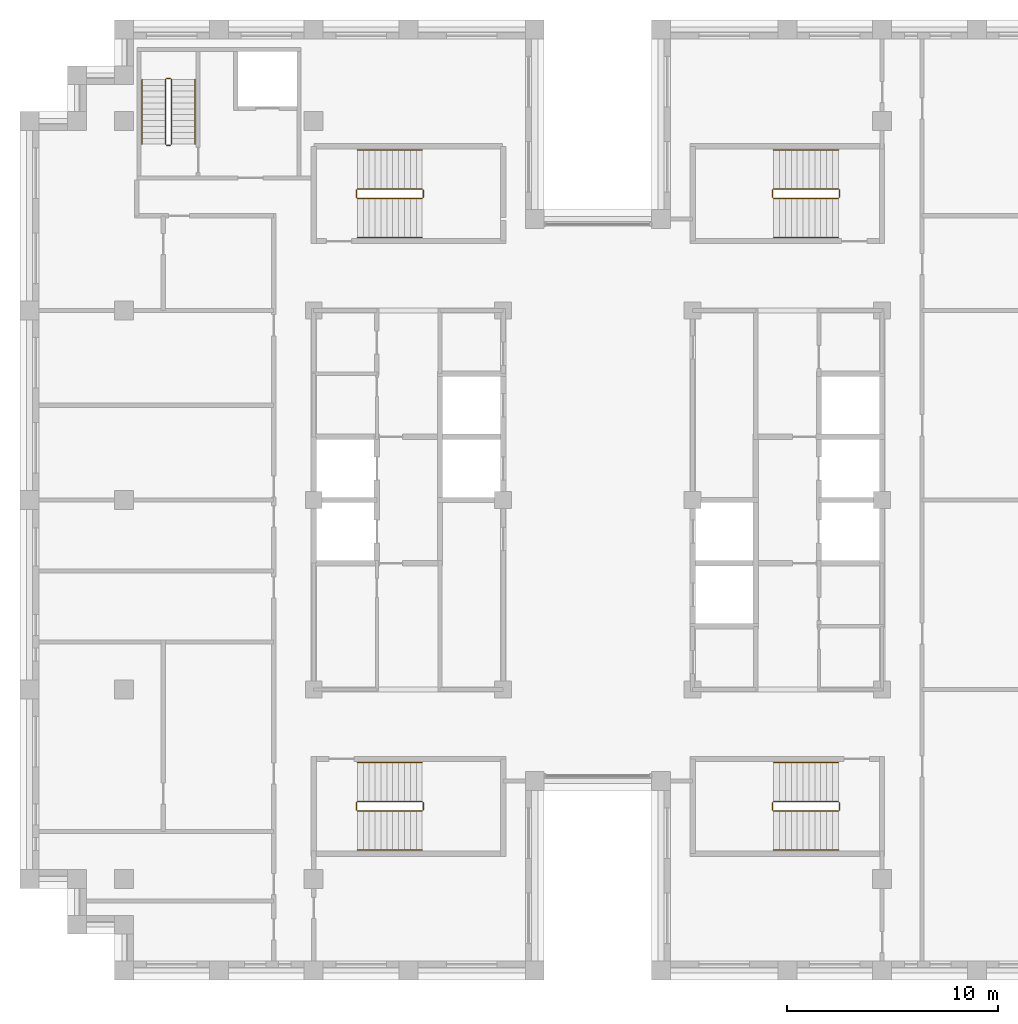
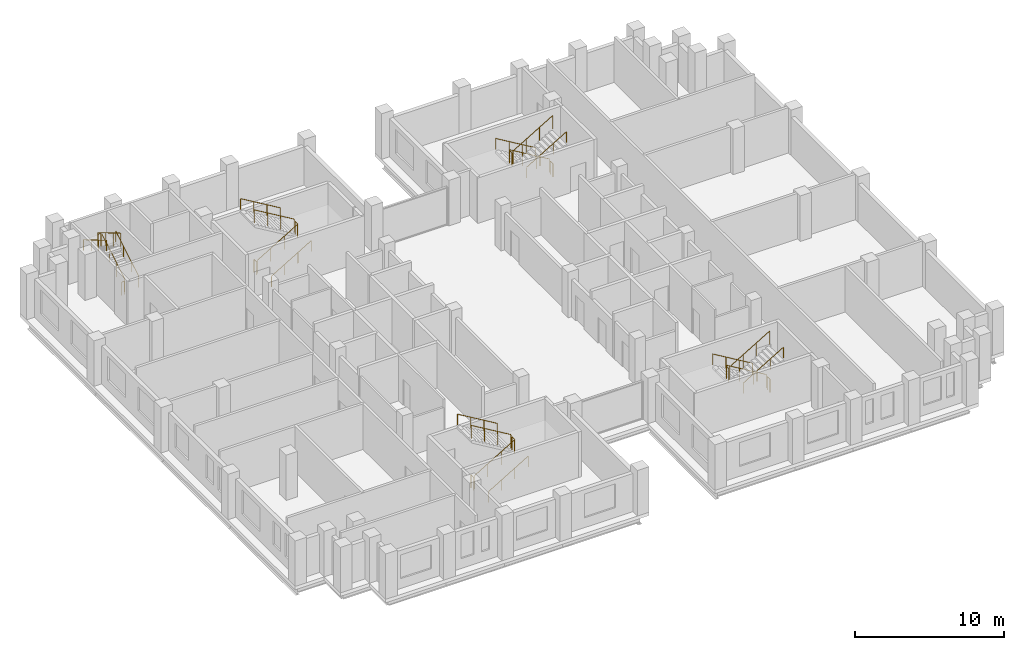
# One storey, part 13 of 13: 5 railings.
"""IFC4 building model written with IfcOpenShell, lengths in metres."""

import ifcopenshell
import ifcopenshell.guid

model = None  # the IFC model being written
_history = None  # IfcOwnerHistory: only IFC2X3 demands one
_inside = {}  # id of a spatial element -> (the spatial element, [elements in it])
_under = {}  # id of a project, library or spatial element -> (it, [spatial elements below it])
_declared = {}  # id of a project -> (the project, [libraries it declares])
_typed = {}  # id of a type object -> (the type object, [elements of that type])
_made_of = {}  # id of a material, layer set ... -> (it, [elements and type objects made of it])


def new_model(schema):
    """Start an empty IFC model of exactly this schema.

    Asked for "IFC4X3", IfcOpenShell would pick the latest addendum, in which some entities
    have other attributes; the version numbers below select the first issue.
    IFC2X3 requires an IfcOwnerHistory on every rooted entity: one is made here for all.
    """
    global model, _history
    if schema == "IFC4X3":
        model = ifcopenshell.file(schema_version=(4, 3, 0, 0))
    else:
        model = ifcopenshell.file(schema=schema)
    _inside.clear()
    _under.clear()
    _declared.clear()
    _typed.clear()
    _made_of.clear()
    _history = None
    if model.schema == "IFC2X3":
        org = make("IfcOrganization", Name="unknown")
        user = make(
            "IfcPersonAndOrganization",
            ThePerson=make("IfcPerson", FamilyName="unknown"),
            TheOrganization=org,
        )
        app = make(
            "IfcApplication",
            ApplicationDeveloper=org,
            Version="unknown",
            ApplicationFullName="unknown",
            ApplicationIdentifier="unknown",
        )
        _history = make(
            "IfcOwnerHistory",
            OwningUser=user,
            OwningApplication=app,
            ChangeAction="ADDED",
            CreationDate=0,
        )
    return model


def make(cls, **values):
    """One entity of the class cls with the attributes given. An attribute that is None is left unset."""
    return model.create_entity(
        cls, **{name: value for name, value in values.items() if value is not None}
    )


def rooted(cls, **values):
    """An entity with a GlobalId (a new one), such as an element, a storey or a relation."""
    return make(cls, GlobalId=ifcopenshell.guid.new(), OwnerHistory=_history, **values)


def si_unit(unit_type, name, prefix=None):
    """IfcSIUnit, for example si_unit("LENGTHUNIT", "METRE", prefix="MILLI")."""
    return make("IfcSIUnit", UnitType=unit_type, Prefix=prefix, Name=name)


def assignment(units):
    """IfcUnitAssignment: the units of a project."""
    return None if units is None else make("IfcUnitAssignment", Units=units)


def point(xyz):
    """IfcCartesianPoint."""
    return None if xyz is None else make("IfcCartesianPoint", Coordinates=xyz)


def direction(xyz):
    """IfcDirection."""
    return None if xyz is None else make("IfcDirection", DirectionRatios=xyz)


def frame(location, z_axis=None, x_axis=None):
    """IfcAxis2Placement3D, a coordinate frame: its origin and axes. An axis left out is left unset."""
    return make(
        "IfcAxis2Placement3D",
        Location=point(location),
        Axis=direction(z_axis),
        RefDirection=direction(x_axis),
    )


def frame_2d(location, x_axis=None):
    """IfcAxis2Placement2D, a coordinate frame in the plane: its origin and x axis."""
    return make(
        "IfcAxis2Placement2D", Location=point(location), RefDirection=direction(x_axis)
    )


def origin():
    """The frame at (0, 0, 0) with its axes left unset."""
    return frame((0.0, 0.0, 0.0))


def origin_2d():
    """The frame at (0, 0) in the plane with its x axis left unset."""
    return frame_2d((0.0, 0.0))


def place(relative_to, where):
    """IfcLocalPlacement: puts the frame where relative to a parent placement (None: the world)."""
    return make(
        "IfcLocalPlacement", PlacementRelTo=relative_to, RelativePlacement=where
    )


def context(
    kind, dimensions, precision=None, world=None, true_north=None, identifier=None
):
    """IfcGeometricRepresentationContext, for example the 3D "Model" context."""
    return make(
        "IfcGeometricRepresentationContext",
        ContextIdentifier=identifier,
        ContextType=kind,
        CoordinateSpaceDimension=dimensions,
        Precision=precision,
        WorldCoordinateSystem=world,
        TrueNorth=true_north,
    )


def subcontext(parent, identifier, kind, view, scale=None):
    """IfcGeometricRepresentationSubContext, for example "Body" below "Model"."""
    return make(
        "IfcGeometricRepresentationSubContext",
        ContextIdentifier=identifier,
        ContextType=kind,
        ParentContext=parent,
        TargetScale=scale,
        TargetView=view,
    )


def project(units=None, contexts=None):
    """IfcProject with its units and contexts."""
    return rooted(
        "IfcProject",
        Name="project",
        RepresentationContexts=contexts,
        UnitsInContext=assignment(units),
    )


def spatial(cls, under=None, at=None, **own):
    """A site, building, storey or space (cls), placed at a placement, below another one or the project."""
    s = rooted(cls, ObjectPlacement=at, **own)
    if under is not None:
        _under.setdefault(under.id(), (under, []))[1].append(s)
    return s


def profile(cls, at=None, kind="AREA", **sizes):
    """A parametric profile (cls). Its sizes go by their IFC names, for example OverallWidth=200.0."""
    return make(cls, ProfileType=kind, Position=at, **sizes)


def circle(**sizes):
    """IfcCircleProfileDef."""
    return profile("IfcCircleProfileDef", **sizes)


def extrude(swept, where, along, depth):
    """IfcExtrudedAreaSolid: the profile swept, set in the frame where, extruded along a direction by depth."""
    return make(
        "IfcExtrudedAreaSolid",
        SweptArea=swept,
        Position=where,
        ExtrudedDirection=direction(along),
        Depth=depth,
    )


def shape(context_of_items, identifier, shape_type, items):
    """IfcShapeRepresentation: the items that make up one representation, for example the "Body"."""
    return make(
        "IfcShapeRepresentation",
        ContextOfItems=context_of_items,
        RepresentationIdentifier=identifier,
        RepresentationType=shape_type,
        Items=items,
    )


def material(Name=None, Category=None):
    """IfcMaterial."""
    return make("IfcMaterial", Name=Name, Category=Category)


def made_of(thing, what):
    """Note that an element or type object is made of a material, layer set ...; save() writes the relation."""
    if what is not None:
        _made_of.setdefault(what.id(), (what, []))[1].append(thing)
    return thing


def type_object(cls, material=None, **own):
    """A type object (cls), such as IfcWallType, which elements share."""
    return made_of(rooted(cls, **own), material)


def element(
    cls,
    number,
    at=None,
    inside=None,
    cuts=None,
    type_object=None,
    material=None,
    context=None,
    identifier="Body",
    shape_type=None,
    held_by="IfcProductDefinitionShape",
    body=None,
    shapes=None,
    **own,
):
    """One element of the class cls, such as IfcWall. Its Tag is "e" and its number.

    at: its placement. inside: the storey or other place that contains it. cuts: it is an
    opening in that element (IfcRelVoidsElement). A single representation is given by context,
    identifier, shape_type and body (its items); several are given by shapes. held_by: the class
    of the entity that holds the representations. save() writes the other relations.
    """
    e = rooted(cls, Tag="e%d" % number, ObjectPlacement=at, **own)
    if body is not None:
        shapes = [shape(context, identifier, shape_type, body)]
    if shapes is not None:
        e.Representation = make(held_by, Representations=shapes)
    if inside is not None:
        _inside.setdefault(inside.id(), (inside, []))[1].append(e)
    if cuts is not None:
        rooted(
            "IfcRelVoidsElement", RelatingBuildingElement=cuts, RelatedOpeningElement=e
        )
    if type_object is not None:
        _typed.setdefault(type_object.id(), (type_object, []))[1].append(e)
    return made_of(e, material)


def aggregate(whole, parts):
    """IfcRelAggregates: a whole, such as a stair, and the parts it consists of."""
    return rooted("IfcRelAggregates", RelatingObject=whole, RelatedObjects=parts)


def save(model, path):
    """Write the relations noted so far, then the file.

    IfcRelAggregates (storeys below a building ...), IfcRelContainedInSpatialStructure (elements
    in a storey), IfcRelDefinesByType, IfcRelAssociatesMaterial and IfcRelDeclares: one each for
    every whole, place, type object, material and project.
    """
    for whole, parts in _under.values():
        aggregate(whole, parts)
    for where, things in _inside.values():
        rooted(
            "IfcRelContainedInSpatialStructure",
            RelatedElements=things,
            RelatingStructure=where,
        )
    for kind, things in _typed.values():
        rooted("IfcRelDefinesByType", RelatedObjects=things, RelatingType=kind)
    for what, things in _made_of.values():
        rooted("IfcRelAssociatesMaterial", RelatedObjects=things, RelatingMaterial=what)
    for by, libraries in _declared.values():
        rooted("IfcRelDeclares", RelatingContext=by, RelatedDefinitions=libraries)
    model.write(path)


model = new_model("IFC4")

# Units and contexts
model_context = context("Model", 3, precision=1e-05, world=origin(), true_north=direction((0.0, 1.0)))
body_context = subcontext(model_context, "Body", "Model", "MODEL_VIEW")
ifc_project = project(units=[si_unit("LENGTHUNIT", "METRE"), si_unit("AREAUNIT", "SQUARE_METRE"), si_unit("VOLUMEUNIT", "CUBIC_METRE"), si_unit("PLANEANGLEUNIT", "RADIAN"), si_unit("MASSUNIT", "GRAM", prefix="KILO")], contexts=[model_context])

# Site, building, storey
site_placement = place(None, origin())
site = spatial("IfcSite", under=ifc_project, at=site_placement, CompositionType="ELEMENT")
building_placement = place(site_placement, origin())
building = spatial("IfcBuilding", under=site, at=building_placement, Name="Corbelhall Arena Tower", CompositionType="ELEMENT")
storey_placement = place(building_placement, frame((0.0, 0.0, 278.0)))
storey = spatial("IfcBuildingStorey", under=building, at=storey_placement, Name="L60", CompositionType="ELEMENT", Elevation=278.0)

# Railings
ifc_material = material(Name="Steel ASTM A500 Gr C", Category="steel")
railing_type = type_object("IfcRailingType", Name="IN-GD-1100", PredefinedType="GUARDRAIL", material=ifc_material)
railing_1_placement = place(storey_placement, frame((-11.425048828125, 14.324951171875, 0.166748046875)))
element("IfcRailing", 1, at=railing_1_placement, inside=storey, type_object=railing_type, Name="L60 ST1 stair guards and handrails", PredefinedType="GUARDRAIL", context=body_context, shape_type="SweptSolid", body=[
    extrude(circle(Radius=0.02392578125, at=origin_2d()), frame((0.0, 0.0, 1.076171875), z_axis=(0.859308565015, 0.0, 0.511457515432), x_axis=(0.0, 1.0, 0.0)), (0.0, 0.0, 1.0), 3.58447265625),
    extrude(circle(Radius=0.02392578125, at=origin_2d()), frame((3.130126953125, 0.050048828125, 2.9091796875), z_axis=(0.0, 1.0, 0.0), x_axis=(-1.0, 0.0, 0.0)), (0.0, 0.0, 1.0), 0.35009765625),
    extrude(circle(Radius=0.02392578125, at=origin_2d()), frame((3.080078125, 0.449951171875, 3.076171875), z_axis=(-0.859308565015, 0.0, 0.511457515432), x_axis=(0.0, -1.0, 0.0)), (0.0, 0.0, 1.0), 3.58447265625),
    extrude(circle(Radius=0.02392578125, at=origin_2d()), frame((-0.050048828125, 0.050048828125, 0.9091796875), z_axis=(0.0, 1.0, 0.0), x_axis=(-1.0, 0.0, 0.0)), (0.0, 0.0, 1.0), 0.35009765625),
    extrude(circle(Radius=0.02392578125, at=origin_2d()), frame((0.0, -1.849853515625, 0.8759765625), z_axis=(0.859308565015, 0.0, 0.511457515432), x_axis=(0.0, 1.0, 0.0)), (0.0, 0.0, 1.0), 3.58447265625),
    extrude(circle(Radius=0.02392578125, at=origin_2d()), frame((3.080078125, 2.300048828125, 2.8759765625), z_axis=(-0.859308565015, 0.0, 0.511457515432), x_axis=(0.0, -1.0, 0.0)), (0.0, 0.0, 1.0), 3.58447265625),
    extrude(circle(Radius=0.02099609375, at=origin_2d()), origin(), (0.0, 0.0, 1.0), 1.052001953125),
    extrude(circle(Radius=0.02099609375, at=origin_2d()), frame((1.026611328125, 0.0, 0.611083984375)), (0.0, 0.0, 1.0), 1.052001953125),
    extrude(circle(Radius=0.02099609375, at=origin_2d()), frame((2.053466796875, 0.0, 1.22216796875)), (0.0, 0.0, 1.0), 1.052001953125),
    extrude(circle(Radius=0.02099609375, at=origin_2d()), frame((3.080078125, 0.0, 1.833251953125)), (0.0, 0.0, 1.0), 1.052001953125),
    extrude(circle(Radius=0.02099609375, at=origin_2d()), frame((3.130126953125, 0.050048828125, 1.833251953125)), (0.0, 0.0, 1.0), 1.052001953125),
    extrude(circle(Radius=0.02099609375, at=origin_2d()), frame((3.130126953125, 0.400146484375, 1.833251953125)), (0.0, 0.0, 1.0), 1.052001953125),
    extrude(circle(Radius=0.02099609375, at=origin_2d()), frame((3.080078125, 0.449951171875, 2.0)), (0.0, 0.0, 1.0), 1.052001953125),
    extrude(circle(Radius=0.02099609375, at=origin_2d()), frame((2.053466796875, 0.449951171875, 2.611083984375)), (0.0, 0.0, 1.0), 1.052001953125),
    extrude(circle(Radius=0.02099609375, at=origin_2d()), frame((1.026611328125, 0.449951171875, 3.22216796875)), (0.0, 0.0, 1.0), 1.052001953125),
    extrude(circle(Radius=0.02099609375, at=origin_2d()), frame((0.0, 0.449951171875, 3.833251953125)), (0.0, 0.0, 1.0), 1.052001953125),
    extrude(circle(Radius=0.02099609375, at=origin_2d()), frame((-0.050048828125, 0.050048828125, -0.166748046875)), (0.0, 0.0, 1.0), 1.052001953125),
    extrude(circle(Radius=0.02099609375, at=origin_2d()), frame((-0.050048828125, 0.400146484375, -0.166748046875)), (0.0, 0.0, 1.0), 1.052001953125),
    extrude(circle(Radius=0.02099609375, at=origin_2d()), frame((0.0, -1.849853515625, 0.0)), (0.0, 0.0, 1.0), 0.851806640625),
    extrude(circle(Radius=0.02099609375, at=origin_2d()), frame((1.026611328125, -1.849853515625, 0.611083984375)), (0.0, 0.0, 1.0), 0.851806640625),
    extrude(circle(Radius=0.02099609375, at=origin_2d()), frame((2.053466796875, -1.849853515625, 1.22216796875)), (0.0, 0.0, 1.0), 0.851806640625),
    extrude(circle(Radius=0.02099609375, at=origin_2d()), frame((3.080078125, -1.849853515625, 1.833251953125)), (0.0, 0.0, 1.0), 0.851806640625),
    extrude(circle(Radius=0.02099609375, at=origin_2d()), frame((3.080078125, 2.300048828125, 2.0)), (0.0, 0.0, 1.0), 0.851806640625),
    extrude(circle(Radius=0.02099609375, at=origin_2d()), frame((2.053466796875, 2.300048828125, 2.611083984375)), (0.0, 0.0, 1.0), 0.851806640625),
    extrude(circle(Radius=0.02099609375, at=origin_2d()), frame((1.026611328125, 2.300048828125, 3.22216796875)), (0.0, 0.0, 1.0), 0.851806640625),
    extrude(circle(Radius=0.02099609375, at=origin_2d()), frame((0.0, 2.300048828125, 3.833251953125)), (0.0, 0.0, 1.0), 0.851806640625),
])
railing_2_placement = place(storey_placement, frame((-11.425048828125, -14.77490234375, 0.166748046875)))
element("IfcRailing", 2, at=railing_2_placement, inside=storey, type_object=railing_type, Name="L60 ST2 stair guards and handrails", PredefinedType="GUARDRAIL", context=body_context, shape_type="SweptSolid", body=[
    extrude(circle(Radius=0.02392578125, at=origin_2d()), frame((0.0, 0.0, 1.076171875), z_axis=(0.859308565015, 0.0, 0.511457515432), x_axis=(0.0, 1.0, 0.0)), (0.0, 0.0, 1.0), 3.58447265625),
    extrude(circle(Radius=0.02392578125, at=origin_2d()), frame((3.130126953125, 0.0498046875, 2.9091796875), z_axis=(0.0, 1.0, 0.0), x_axis=(-1.0, 0.0, 0.0)), (0.0, 0.0, 1.0), 0.35009765625),
    extrude(circle(Radius=0.02392578125, at=origin_2d()), frame((3.080078125, 0.449951171875, 3.076171875), z_axis=(-0.859308565015, 0.0, 0.511457515432), x_axis=(0.0, -1.0, 0.0)), (0.0, 0.0, 1.0), 3.58447265625),
    extrude(circle(Radius=0.02392578125, at=origin_2d()), frame((-0.050048828125, 0.0498046875, 0.9091796875), z_axis=(0.0, 1.0, 0.0), x_axis=(-1.0, 0.0, 0.0)), (0.0, 0.0, 1.0), 0.35009765625),
    extrude(circle(Radius=0.02392578125, at=origin_2d()), frame((0.0, -1.85009765625, 0.8759765625), z_axis=(0.859308565015, 0.0, 0.511457515432), x_axis=(0.0, 1.0, 0.0)), (0.0, 0.0, 1.0), 3.58447265625),
    extrude(circle(Radius=0.02392578125, at=origin_2d()), frame((3.080078125, 2.2998046875, 2.8759765625), z_axis=(-0.859308565015, 0.0, 0.511457515432), x_axis=(0.0, -1.0, 0.0)), (0.0, 0.0, 1.0), 3.58447265625),
    extrude(circle(Radius=0.02099609375, at=origin_2d()), origin(), (0.0, 0.0, 1.0), 1.052001953125),
    extrude(circle(Radius=0.02099609375, at=origin_2d()), frame((1.026611328125, 0.0, 0.611083984375)), (0.0, 0.0, 1.0), 1.052001953125),
    extrude(circle(Radius=0.02099609375, at=origin_2d()), frame((2.053466796875, 0.0, 1.22216796875)), (0.0, 0.0, 1.0), 1.052001953125),
    extrude(circle(Radius=0.02099609375, at=origin_2d()), frame((3.080078125, 0.0, 1.833251953125)), (0.0, 0.0, 1.0), 1.052001953125),
    extrude(circle(Radius=0.02099609375, at=origin_2d()), frame((3.130126953125, 0.0498046875, 1.833251953125)), (0.0, 0.0, 1.0), 1.052001953125),
    extrude(circle(Radius=0.02099609375, at=origin_2d()), frame((3.130126953125, 0.39990234375, 1.833251953125)), (0.0, 0.0, 1.0), 1.052001953125),
    extrude(circle(Radius=0.02099609375, at=origin_2d()), frame((3.080078125, 0.449951171875, 2.0)), (0.0, 0.0, 1.0), 1.052001953125),
    extrude(circle(Radius=0.02099609375, at=origin_2d()), frame((2.053466796875, 0.449951171875, 2.611083984375)), (0.0, 0.0, 1.0), 1.052001953125),
    extrude(circle(Radius=0.02099609375, at=origin_2d()), frame((1.026611328125, 0.449951171875, 3.22216796875)), (0.0, 0.0, 1.0), 1.052001953125),
    extrude(circle(Radius=0.02099609375, at=origin_2d()), frame((0.0, 0.449951171875, 3.833251953125)), (0.0, 0.0, 1.0), 1.052001953125),
    extrude(circle(Radius=0.02099609375, at=origin_2d()), frame((-0.050048828125, 0.0498046875, -0.166748046875)), (0.0, 0.0, 1.0), 1.052001953125),
    extrude(circle(Radius=0.02099609375, at=origin_2d()), frame((-0.050048828125, 0.39990234375, -0.166748046875)), (0.0, 0.0, 1.0), 1.052001953125),
    extrude(circle(Radius=0.02099609375, at=origin_2d()), frame((0.0, -1.85009765625, 0.0)), (0.0, 0.0, 1.0), 0.851806640625),
    extrude(circle(Radius=0.02099609375, at=origin_2d()), frame((1.026611328125, -1.85009765625, 0.611083984375)), (0.0, 0.0, 1.0), 0.851806640625),
    extrude(circle(Radius=0.02099609375, at=origin_2d()), frame((2.053466796875, -1.85009765625, 1.22216796875)), (0.0, 0.0, 1.0), 0.851806640625),
    extrude(circle(Radius=0.02099609375, at=origin_2d()), frame((3.080078125, -1.85009765625, 1.833251953125)), (0.0, 0.0, 1.0), 0.851806640625),
    extrude(circle(Radius=0.02099609375, at=origin_2d()), frame((3.080078125, 2.2998046875, 2.0)), (0.0, 0.0, 1.0), 0.851806640625),
    extrude(circle(Radius=0.02099609375, at=origin_2d()), frame((2.053466796875, 2.2998046875, 2.611083984375)), (0.0, 0.0, 1.0), 0.851806640625),
    extrude(circle(Radius=0.02099609375, at=origin_2d()), frame((1.026611328125, 2.2998046875, 3.22216796875)), (0.0, 0.0, 1.0), 0.851806640625),
    extrude(circle(Radius=0.02099609375, at=origin_2d()), frame((0.0, 2.2998046875, 3.833251953125)), (0.0, 0.0, 1.0), 0.851806640625),
])
railing_3_placement = place(storey_placement, frame((11.425048828125, 14.77490234375, 0.166748046875)))
element("IfcRailing", 3, at=railing_3_placement, inside=storey, type_object=railing_type, Name="L60 ST3 stair guards and handrails", PredefinedType="GUARDRAIL", context=body_context, shape_type="SweptSolid", body=[
    extrude(circle(Radius=0.02392578125, at=origin_2d()), frame((0.0, 0.0, 1.076171875), z_axis=(-0.859308565015, 0.0, 0.511457515432), x_axis=(0.0, -1.0, 0.0)), (0.0, 0.0, 1.0), 3.58447265625),
    extrude(circle(Radius=0.02392578125, at=origin_2d()), frame((-3.130126953125, -0.0498046875, 2.9091796875), z_axis=(0.0, -1.0, 0.0), x_axis=(1.0, 0.0, 0.0)), (0.0, 0.0, 1.0), 0.35009765625),
    extrude(circle(Radius=0.02392578125, at=origin_2d()), frame((-3.080078125, -0.449951171875, 3.076171875), z_axis=(0.859308565015, 0.0, 0.511457515432), x_axis=(0.0, 1.0, 0.0)), (0.0, 0.0, 1.0), 3.58447265625),
    extrude(circle(Radius=0.02392578125, at=origin_2d()), frame((0.050048828125, -0.0498046875, 0.9091796875), z_axis=(0.0, -1.0, 0.0), x_axis=(1.0, 0.0, 0.0)), (0.0, 0.0, 1.0), 0.35009765625),
    extrude(circle(Radius=0.02392578125, at=origin_2d()), frame((0.0, 1.85009765625, 0.8759765625), z_axis=(-0.859308565015, 0.0, 0.511457515432), x_axis=(0.0, -1.0, 0.0)), (0.0, 0.0, 1.0), 3.58447265625),
    extrude(circle(Radius=0.02392578125, at=origin_2d()), frame((-3.080078125, -2.2998046875, 2.8759765625), z_axis=(0.859308565015, 0.0, 0.511457515432), x_axis=(0.0, 1.0, 0.0)), (0.0, 0.0, 1.0), 3.58447265625),
    extrude(circle(Radius=0.02099609375, at=origin_2d()), origin(), (0.0, 0.0, 1.0), 1.052001953125),
    extrude(circle(Radius=0.02099609375, at=origin_2d()), frame((-1.026611328125, 0.0, 0.611083984375)), (0.0, 0.0, 1.0), 1.052001953125),
    extrude(circle(Radius=0.02099609375, at=origin_2d()), frame((-2.053466796875, 0.0, 1.22216796875)), (0.0, 0.0, 1.0), 1.052001953125),
    extrude(circle(Radius=0.02099609375, at=origin_2d()), frame((-3.080078125, 0.0, 1.833251953125)), (0.0, 0.0, 1.0), 1.052001953125),
    extrude(circle(Radius=0.02099609375, at=origin_2d()), frame((-3.130126953125, -0.0498046875, 1.833251953125)), (0.0, 0.0, 1.0), 1.052001953125),
    extrude(circle(Radius=0.02099609375, at=origin_2d()), frame((-3.130126953125, -0.39990234375, 1.833251953125)), (0.0, 0.0, 1.0), 1.052001953125),
    extrude(circle(Radius=0.02099609375, at=origin_2d()), frame((-3.080078125, -0.449951171875, 2.0)), (0.0, 0.0, 1.0), 1.052001953125),
    extrude(circle(Radius=0.02099609375, at=origin_2d()), frame((-2.053466796875, -0.449951171875, 2.611083984375)), (0.0, 0.0, 1.0), 1.052001953125),
    extrude(circle(Radius=0.02099609375, at=origin_2d()), frame((-1.026611328125, -0.449951171875, 3.22216796875)), (0.0, 0.0, 1.0), 1.052001953125),
    extrude(circle(Radius=0.02099609375, at=origin_2d()), frame((0.0, -0.449951171875, 3.833251953125)), (0.0, 0.0, 1.0), 1.052001953125),
    extrude(circle(Radius=0.02099609375, at=origin_2d()), frame((0.050048828125, -0.0498046875, -0.166748046875)), (0.0, 0.0, 1.0), 1.052001953125),
    extrude(circle(Radius=0.02099609375, at=origin_2d()), frame((0.050048828125, -0.39990234375, -0.166748046875)), (0.0, 0.0, 1.0), 1.052001953125),
    extrude(circle(Radius=0.02099609375, at=origin_2d()), frame((0.0, 1.85009765625, 0.0)), (0.0, 0.0, 1.0), 0.851806640625),
    extrude(circle(Radius=0.02099609375, at=origin_2d()), frame((-1.026611328125, 1.85009765625, 0.611083984375)), (0.0, 0.0, 1.0), 0.851806640625),
    extrude(circle(Radius=0.02099609375, at=origin_2d()), frame((-2.053466796875, 1.85009765625, 1.22216796875)), (0.0, 0.0, 1.0), 0.851806640625),
    extrude(circle(Radius=0.02099609375, at=origin_2d()), frame((-3.080078125, 1.85009765625, 1.833251953125)), (0.0, 0.0, 1.0), 0.851806640625),
    extrude(circle(Radius=0.02099609375, at=origin_2d()), frame((-3.080078125, -2.2998046875, 2.0)), (0.0, 0.0, 1.0), 0.851806640625),
    extrude(circle(Radius=0.02099609375, at=origin_2d()), frame((-2.053466796875, -2.2998046875, 2.611083984375)), (0.0, 0.0, 1.0), 0.851806640625),
    extrude(circle(Radius=0.02099609375, at=origin_2d()), frame((-1.026611328125, -2.2998046875, 3.22216796875)), (0.0, 0.0, 1.0), 0.851806640625),
    extrude(circle(Radius=0.02099609375, at=origin_2d()), frame((0.0, -2.2998046875, 3.833251953125)), (0.0, 0.0, 1.0), 0.851806640625),
])
railing_4_placement = place(storey_placement, frame((11.425048828125, -14.324951171875, 0.166748046875)))
element("IfcRailing", 4, at=railing_4_placement, inside=storey, type_object=railing_type, Name="L60 ST4 stair guards and handrails", PredefinedType="GUARDRAIL", context=body_context, shape_type="SweptSolid", body=[
    extrude(circle(Radius=0.02392578125, at=origin_2d()), frame((0.0, 0.0, 1.076171875), z_axis=(-0.859308565015, 0.0, 0.511457515432), x_axis=(0.0, -1.0, 0.0)), (0.0, 0.0, 1.0), 3.58447265625),
    extrude(circle(Radius=0.02392578125, at=origin_2d()), frame((-3.130126953125, -0.050048828125, 2.9091796875), z_axis=(0.0, -1.0, 0.0), x_axis=(1.0, 0.0, 0.0)), (0.0, 0.0, 1.0), 0.35009765625),
    extrude(circle(Radius=0.02392578125, at=origin_2d()), frame((-3.080078125, -0.449951171875, 3.076171875), z_axis=(0.859308565015, 0.0, 0.511457515432), x_axis=(0.0, 1.0, 0.0)), (0.0, 0.0, 1.0), 3.58447265625),
    extrude(circle(Radius=0.02392578125, at=origin_2d()), frame((0.050048828125, -0.050048828125, 0.9091796875), z_axis=(0.0, -1.0, 0.0), x_axis=(1.0, 0.0, 0.0)), (0.0, 0.0, 1.0), 0.35009765625),
    extrude(circle(Radius=0.02392578125, at=origin_2d()), frame((0.0, 1.849853515625, 0.8759765625), z_axis=(-0.859308565015, 0.0, 0.511457515432), x_axis=(0.0, -1.0, 0.0)), (0.0, 0.0, 1.0), 3.58447265625),
    extrude(circle(Radius=0.02392578125, at=origin_2d()), frame((-3.080078125, -2.300048828125, 2.8759765625), z_axis=(0.859308565015, 0.0, 0.511457515432), x_axis=(0.0, 1.0, 0.0)), (0.0, 0.0, 1.0), 3.58447265625),
    extrude(circle(Radius=0.02099609375, at=origin_2d()), origin(), (0.0, 0.0, 1.0), 1.052001953125),
    extrude(circle(Radius=0.02099609375, at=origin_2d()), frame((-1.026611328125, 0.0, 0.611083984375)), (0.0, 0.0, 1.0), 1.052001953125),
    extrude(circle(Radius=0.02099609375, at=origin_2d()), frame((-2.053466796875, 0.0, 1.22216796875)), (0.0, 0.0, 1.0), 1.052001953125),
    extrude(circle(Radius=0.02099609375, at=origin_2d()), frame((-3.080078125, 0.0, 1.833251953125)), (0.0, 0.0, 1.0), 1.052001953125),
    extrude(circle(Radius=0.02099609375, at=origin_2d()), frame((-3.130126953125, -0.050048828125, 1.833251953125)), (0.0, 0.0, 1.0), 1.052001953125),
    extrude(circle(Radius=0.02099609375, at=origin_2d()), frame((-3.130126953125, -0.400146484375, 1.833251953125)), (0.0, 0.0, 1.0), 1.052001953125),
    extrude(circle(Radius=0.02099609375, at=origin_2d()), frame((-3.080078125, -0.449951171875, 2.0)), (0.0, 0.0, 1.0), 1.052001953125),
    extrude(circle(Radius=0.02099609375, at=origin_2d()), frame((-2.053466796875, -0.449951171875, 2.611083984375)), (0.0, 0.0, 1.0), 1.052001953125),
    extrude(circle(Radius=0.02099609375, at=origin_2d()), frame((-1.026611328125, -0.449951171875, 3.22216796875)), (0.0, 0.0, 1.0), 1.052001953125),
    extrude(circle(Radius=0.02099609375, at=origin_2d()), frame((0.0, -0.449951171875, 3.833251953125)), (0.0, 0.0, 1.0), 1.052001953125),
    extrude(circle(Radius=0.02099609375, at=origin_2d()), frame((0.050048828125, -0.050048828125, -0.166748046875)), (0.0, 0.0, 1.0), 1.052001953125),
    extrude(circle(Radius=0.02099609375, at=origin_2d()), frame((0.050048828125, -0.400146484375, -0.166748046875)), (0.0, 0.0, 1.0), 1.052001953125),
    extrude(circle(Radius=0.02099609375, at=origin_2d()), frame((0.0, 1.849853515625, 0.0)), (0.0, 0.0, 1.0), 0.851806640625),
    extrude(circle(Radius=0.02099609375, at=origin_2d()), frame((-1.026611328125, 1.849853515625, 0.611083984375)), (0.0, 0.0, 1.0), 0.851806640625),
    extrude(circle(Radius=0.02099609375, at=origin_2d()), frame((-2.053466796875, 1.849853515625, 1.22216796875)), (0.0, 0.0, 1.0), 0.851806640625),
    extrude(circle(Radius=0.02099609375, at=origin_2d()), frame((-3.080078125, 1.849853515625, 1.833251953125)), (0.0, 0.0, 1.0), 0.851806640625),
    extrude(circle(Radius=0.02099609375, at=origin_2d()), frame((-3.080078125, -2.300048828125, 2.0)), (0.0, 0.0, 1.0), 0.851806640625),
    extrude(circle(Radius=0.02099609375, at=origin_2d()), frame((-2.053466796875, -2.300048828125, 2.611083984375)), (0.0, 0.0, 1.0), 0.851806640625),
    extrude(circle(Radius=0.02099609375, at=origin_2d()), frame((-1.026611328125, -2.300048828125, 3.22216796875)), (0.0, 0.0, 1.0), 0.851806640625),
    extrude(circle(Radius=0.02099609375, at=origin_2d()), frame((0.0, -2.300048828125, 3.833251953125)), (0.0, 0.0, 1.0), 0.851806640625),
])
railing_5_placement = place(storey_placement, frame((-20.2451171875, 16.89990234375, 0.166748046875)))
element("IfcRailing", 5, at=railing_5_placement, inside=storey, type_object=railing_type, Name="L60 ST5 stair guards and handrails", PredefinedType="GUARDRAIL", context=body_context, shape_type="SweptSolid", body=[
    extrude(circle(Radius=0.02392578125, at=origin_2d()), frame((0.0, 0.0, 1.076171875), z_axis=(0.0, 0.859308565015, 0.511457515432), x_axis=(-1.0, 0.0, 0.0)), (0.0, 0.0, 1.0), 3.58447265625),
    extrude(circle(Radius=0.02392578125, at=origin_2d()), frame((-0.0498046875, 3.130126953125, 2.9091796875), z_axis=(-1.0, 0.0, 0.0), x_axis=(0.0, -1.0, 0.0)), (0.0, 0.0, 1.0), 0.2001953125),
    extrude(circle(Radius=0.02392578125, at=origin_2d()), frame((-0.2998046875, 3.080078125, 3.076171875), z_axis=(0.0, -0.859308565015, 0.511457515432), x_axis=(1.0, 0.0, 0.0)), (0.0, 0.0, 1.0), 3.58447265625),
    extrude(circle(Radius=0.02392578125, at=origin_2d()), frame((-0.0498046875, -0.0498046875, 0.9091796875), z_axis=(-1.0, 0.0, 0.0), x_axis=(0.0, -1.0, 0.0)), (0.0, 0.0, 1.0), 0.2001953125),
    extrude(circle(Radius=0.02392578125, at=origin_2d()), frame((1.10009765625, 0.0, 0.8759765625), z_axis=(0.0, 0.859308565015, 0.511457515432), x_axis=(-1.0, 0.0, 0.0)), (0.0, 0.0, 1.0), 3.58447265625),
    extrude(circle(Radius=0.02392578125, at=origin_2d()), frame((-1.39990234375, 3.080078125, 2.8759765625), z_axis=(0.0, -0.859308565015, 0.511457515432), x_axis=(1.0, 0.0, 0.0)), (0.0, 0.0, 1.0), 3.58447265625),
    extrude(circle(Radius=0.02099609375, at=origin_2d()), origin(), (0.0, 0.0, 1.0), 1.052001953125),
    extrude(circle(Radius=0.02099609375, at=origin_2d()), frame((0.0, 1.026611328125, 0.611083984375)), (0.0, 0.0, 1.0), 1.052001953125),
    extrude(circle(Radius=0.02099609375, at=origin_2d()), frame((0.0, 2.053466796875, 1.22216796875)), (0.0, 0.0, 1.0), 1.052001953125),
    extrude(circle(Radius=0.02099609375, at=origin_2d()), frame((0.0, 3.080078125, 1.833251953125)), (0.0, 0.0, 1.0), 1.052001953125),
    extrude(circle(Radius=0.02099609375, at=origin_2d()), frame((-0.0498046875, 3.130126953125, 1.833251953125)), (0.0, 0.0, 1.0), 1.052001953125),
    extrude(circle(Radius=0.02099609375, at=origin_2d()), frame((-0.25, 3.130126953125, 1.833251953125)), (0.0, 0.0, 1.0), 1.052001953125),
    extrude(circle(Radius=0.02099609375, at=origin_2d()), frame((-0.2998046875, 3.080078125, 2.0)), (0.0, 0.0, 1.0), 1.052001953125),
    extrude(circle(Radius=0.02099609375, at=origin_2d()), frame((-0.2998046875, 2.053466796875, 2.611083984375)), (0.0, 0.0, 1.0), 1.052001953125),
    extrude(circle(Radius=0.02099609375, at=origin_2d()), frame((-0.2998046875, 1.026611328125, 3.22216796875)), (0.0, 0.0, 1.0), 1.052001953125),
    extrude(circle(Radius=0.02099609375, at=origin_2d()), frame((-0.2998046875, 0.0, 3.833251953125)), (0.0, 0.0, 1.0), 1.052001953125),
    extrude(circle(Radius=0.02099609375, at=origin_2d()), frame((-0.0498046875, -0.0498046875, -0.166748046875)), (0.0, 0.0, 1.0), 1.052001953125),
    extrude(circle(Radius=0.02099609375, at=origin_2d()), frame((-0.25, -0.0498046875, -0.166748046875)), (0.0, 0.0, 1.0), 1.052001953125),
    extrude(circle(Radius=0.02099609375, at=origin_2d()), frame((1.10009765625, 0.0, 0.0)), (0.0, 0.0, 1.0), 0.851806640625),
    extrude(circle(Radius=0.02099609375, at=origin_2d()), frame((1.10009765625, 1.026611328125, 0.611083984375)), (0.0, 0.0, 1.0), 0.851806640625),
    extrude(circle(Radius=0.02099609375, at=origin_2d()), frame((1.10009765625, 2.053466796875, 1.22216796875)), (0.0, 0.0, 1.0), 0.851806640625),
    extrude(circle(Radius=0.02099609375, at=origin_2d()), frame((1.10009765625, 3.080078125, 1.833251953125)), (0.0, 0.0, 1.0), 0.851806640625),
    extrude(circle(Radius=0.02099609375, at=origin_2d()), frame((-1.39990234375, 3.080078125, 2.0)), (0.0, 0.0, 1.0), 0.851806640625),
    extrude(circle(Radius=0.02099609375, at=origin_2d()), frame((-1.39990234375, 2.053466796875, 2.611083984375)), (0.0, 0.0, 1.0), 0.851806640625),
    extrude(circle(Radius=0.02099609375, at=origin_2d()), frame((-1.39990234375, 1.026611328125, 3.22216796875)), (0.0, 0.0, 1.0), 0.851806640625),
    extrude(circle(Radius=0.02099609375, at=origin_2d()), frame((-1.39990234375, 0.0, 3.833251953125)), (0.0, 0.0, 1.0), 0.851806640625),
])

save(model, "model.ifc")
